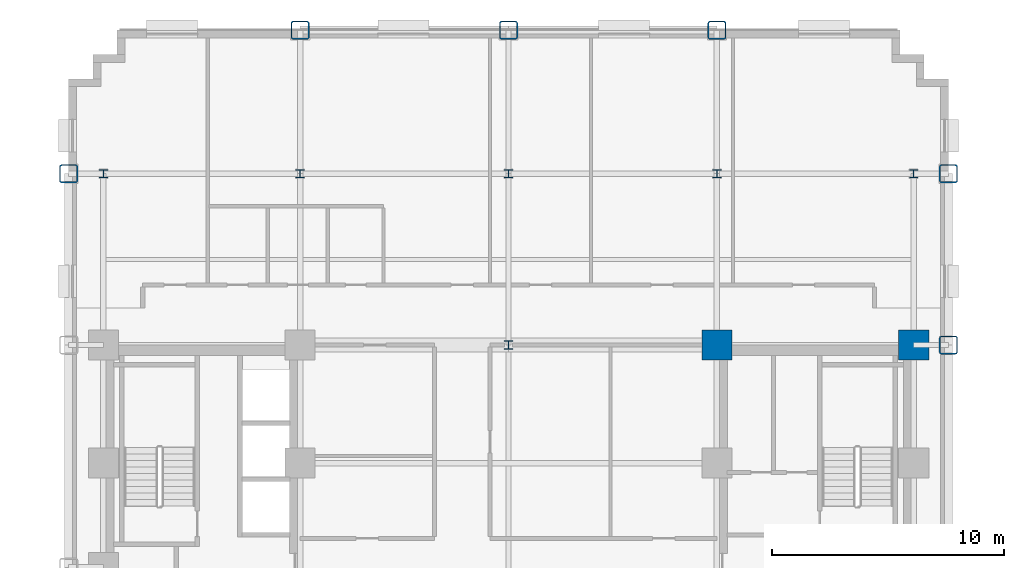
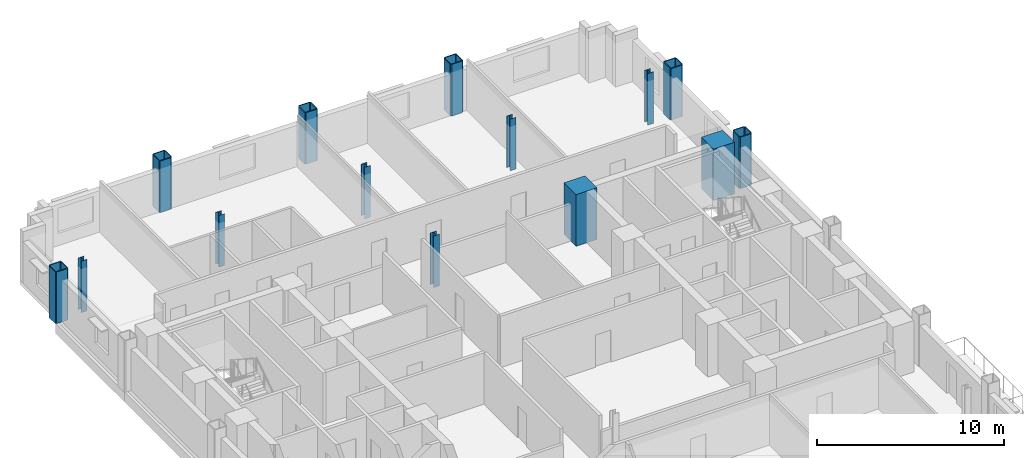
# One storey, part 2 of 12: 14 columns.
"""IFC4 building model written with IfcOpenShell, lengths in metres."""

from ifc_helpers import new_model, si_unit, direction, frame, origin, origin_2d, place, context, subcontext, project, spatial, rectangle, hollow_rectangle, i_section, extrude, material, material_profile, profile_set, type_object, element, save


model = new_model("IFC4")

# Units and contexts
model_context = context("Model", 3, precision=1e-05, world=origin(), true_north=direction((0.0, 1.0)))
body_context = subcontext(model_context, "Body", "Model", "MODEL_VIEW")
ifc_project = project(units=[si_unit("LENGTHUNIT", "METRE"), si_unit("AREAUNIT", "SQUARE_METRE"), si_unit("VOLUMEUNIT", "CUBIC_METRE"), si_unit("PLANEANGLEUNIT", "RADIAN"), si_unit("MASSUNIT", "GRAM", prefix="KILO")], contexts=[model_context])

# Site, building, storey
site_placement = place(None, origin())
site = spatial("IfcSite", under=ifc_project, at=site_placement, CompositionType="ELEMENT")
building_placement = place(site_placement, origin())
building = spatial("IfcBuilding", under=site, at=building_placement, Name="Nuvemarco Arch Tower", CompositionType="ELEMENT")
storey_placement = place(building_placement, frame((0.0, 0.0, 45.85009765625)))
storey = spatial("IfcBuildingStorey", under=building, at=storey_placement, Name="L11", CompositionType="ELEMENT", Elevation=45.85009765625)

# Columns
ifc_material_1 = material(Name="Concrete C60/75", Category="concrete")
ifc_material_profile_1 = material_profile(ifc_material_1, rectangle(XDim=1.300048828125, YDim=1.300048828125, at=origin_2d()), Name="RC-COL-1300x1300")
ifc_profile_set_1 = profile_set([ifc_material_profile_1], Name="Concrete C60/75")
column_type_1 = type_object("IfcColumnType", Name="COL-CORE-1300", PredefinedType="COLUMN", material=ifc_profile_set_1)
for number, where, z_axis, x_axis, name in (
    (1, (9.0, 9.60009765625, 0.0), (0.0, 0.0, 1.0), (1.0, 0.0, 0.0), "L11 column CC_+9.0_+9.6"),
    (2, (17.5, 9.60009765625, 0.0), (0.0, 0.0, 1.0), (1.0, 0.0, 0.0), "L11 column CC_+17.5_+9.6"),
):
    element("IfcColumn", number, at=place(storey_placement, frame(where, z_axis=z_axis, x_axis=x_axis)), inside=storey, type_object=column_type_1, Name=name, PredefinedType="COLUMN", context=body_context, shape_type="SweptSolid", body=[
        extrude(rectangle(XDim=1.300048828125, YDim=1.300048828125, at=origin_2d()), origin(), (0.0, 0.0, 1.0), 3.369873046875),
    ])
ifc_material_2 = material(Name="Steel S460", Category="steel")
ifc_material_profile_2 = material_profile(ifc_material_2, hollow_rectangle(XDim=0.800048828125, YDim=0.800048828125, WallThickness=0.054931640625, InnerFilletRadius=0.054931640625, OuterFilletRadius=0.110107421875, at=origin_2d()), Name="SHS800x800x55")
ifc_profile_set_2 = profile_set([ifc_material_profile_2], Name="Steel S460")
column_type_2 = type_object("IfcColumnType", Name="COL-EXO-800", PredefinedType="COLUMN", material=ifc_profile_set_2)
for number, where, z_axis, x_axis, name in (
    (3, (-19.0, 17.0, 0.0), (0.0, 0.0, 1.0), (1.0, 0.0, 0.0), "L11 column CX_-19.0_+17.0"),
    (4, (19.0, 9.60009765625, 0.0), (0.0, 0.0, 1.0), (1.0, 0.0, 0.0), "L11 column CX_+19.0_+9.6"),
    (5, (19.0, 17.0, 0.0), (0.0, 0.0, 1.0), (1.0, 0.0, 0.0), "L11 column CX_+19.0_+17.0"),
    (6, (-9.0, 23.199951171875, 0.0), (0.0, 0.0, 1.0), (1.0, 0.0, 0.0), "L11 column CY_-9.0_+23.2"),
    (7, (0.0, 23.199951171875, 0.0), (0.0, 0.0, 1.0), (1.0, 0.0, 0.0), "L11 column CY_+0.0_+23.2"),
    (8, (9.0, 23.199951171875, 0.0), (0.0, 0.0, 1.0), (1.0, 0.0, 0.0), "L11 column CY_+9.0_+23.2"),
):
    element("IfcColumn", number, at=place(storey_placement, frame(where, z_axis=z_axis, x_axis=x_axis)), inside=storey, type_object=column_type_2, Name=name, PredefinedType="COLUMN", context=body_context, shape_type="SweptSolid", body=[
        extrude(hollow_rectangle(XDim=0.800048828125, YDim=0.800048828125, WallThickness=0.054931640625, InnerFilletRadius=0.054931640625, OuterFilletRadius=0.110107421875, at=origin_2d()), origin(), (0.0, 0.0, 1.0), 3.369873046875),
    ])
ifc_material_3 = material(Name="Steel S355", Category="steel")
ifc_material_profile_3 = material_profile(ifc_material_3, i_section(OverallWidth=0.360107421875, OverallDepth=0.360107421875, WebThickness=0.0205078125, FlangeThickness=0.0205078125, FilletRadius=0.01806640625, at=origin_2d()), Name="HP360x174")
ifc_profile_set_3 = profile_set([ifc_material_profile_3], Name="Steel S355")
column_type_3 = type_object("IfcColumnType", Name="COL-STL-HP360", PredefinedType="COLUMN", material=ifc_profile_set_3)
for number, where, z_axis, x_axis, name in (
    (9, (0.0, 9.60009765625, 0.0), (0.0, 0.0, 1.0), (1.0, 0.0, 0.0), "L11 column CI_+0.0_+9.6"),
    (10, (0.0, 17.0, 0.0), (0.0, 0.0, 1.0), (1.0, 0.0, 0.0), "L11 column CI_+0.0_+17.0"),
    (11, (-17.5, 17.0, 0.0), (0.0, 0.0, 1.0), (1.0, 0.0, 0.0), "L11 column CI_-17.5_+17.0"),
    (12, (-9.0, 17.0, 0.0), (0.0, 0.0, 1.0), (1.0, 0.0, 0.0), "L11 column CI_-9.0_+17.0"),
    (13, (9.0, 17.0, 0.0), (0.0, 0.0, 1.0), (1.0, 0.0, 0.0), "L11 column CI_+9.0_+17.0"),
    (14, (17.5, 17.0, 0.0), (0.0, 0.0, 1.0), (1.0, 0.0, 0.0), "L11 column CI_+17.5_+17.0"),
):
    element("IfcColumn", number, at=place(storey_placement, frame(where, z_axis=z_axis, x_axis=x_axis)), inside=storey, type_object=column_type_3, Name=name, PredefinedType="COLUMN", context=body_context, shape_type="SweptSolid", body=[
        extrude(i_section(OverallWidth=0.360107421875, OverallDepth=0.360107421875, WebThickness=0.0205078125, FlangeThickness=0.0205078125, FilletRadius=0.01806640625, at=origin_2d()), origin(), (0.0, 0.0, 1.0), 3.369873046875),
    ])

save(model, "model.ifc")
